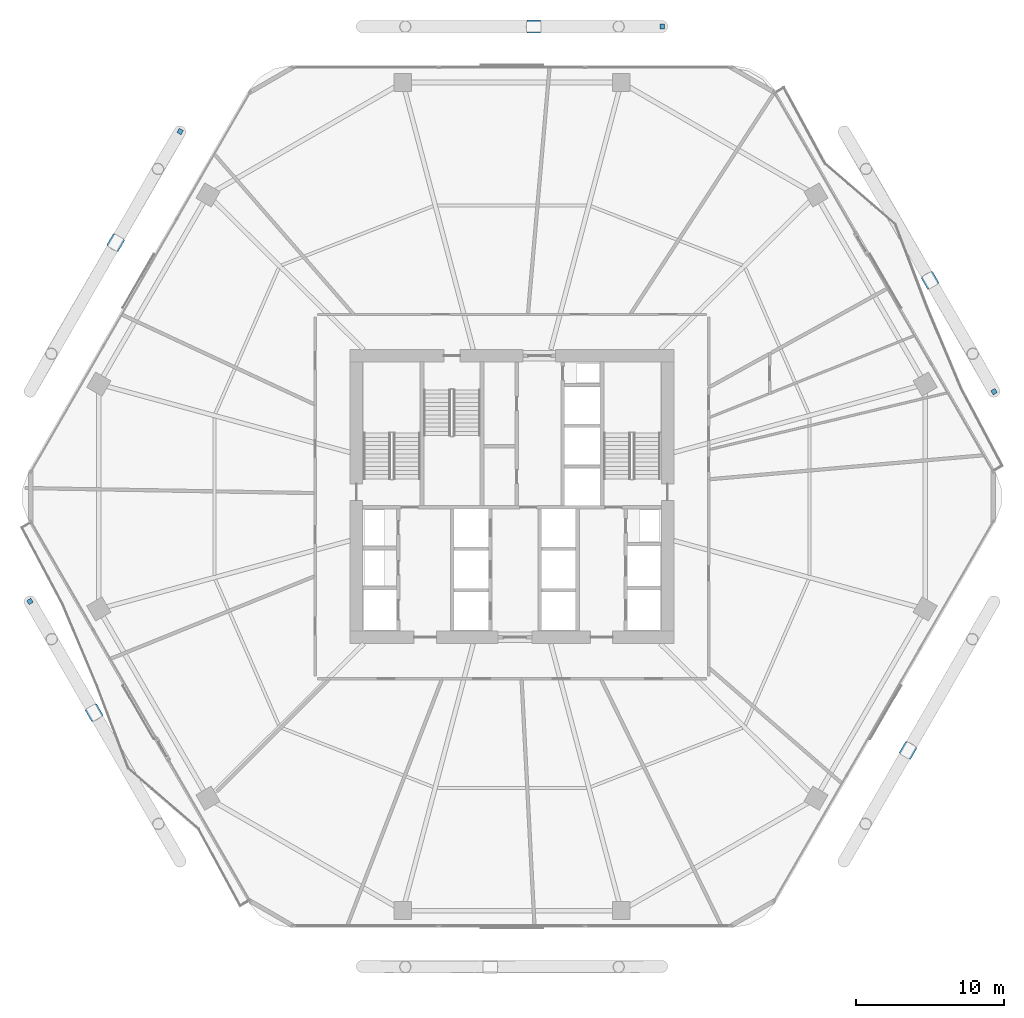
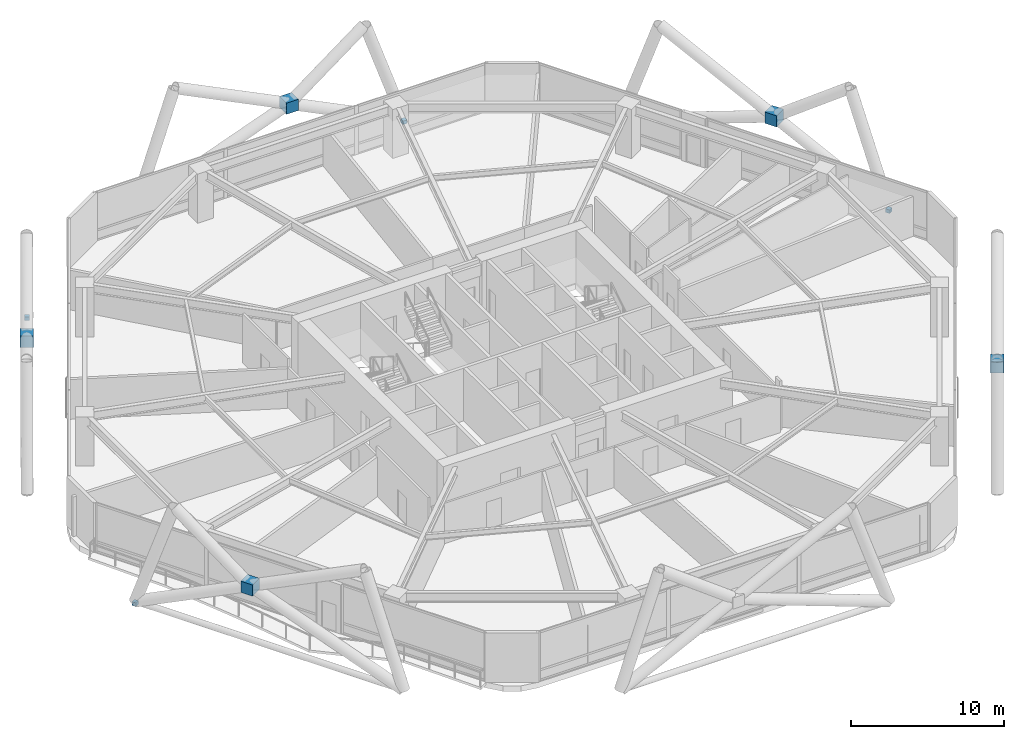
# One storey, part 28 of 31: 9 discrete accessories.
"""IFC4 building model written with IfcOpenShell, lengths in metres."""

from ifc_helpers import new_model, si_unit, direction, frame, origin, origin_2d, place, context, subcontext, project, spatial, rectangle, extrude, material, type_object, element, save


model = new_model("IFC4")

# Units and contexts
model_context = context("Model", 3, precision=1e-05, world=origin(), true_north=direction((0.0, 1.0)))
body_context = subcontext(model_context, "Body", "Model", "MODEL_VIEW")
ifc_project = project(units=[si_unit("LENGTHUNIT", "METRE"), si_unit("AREAUNIT", "SQUARE_METRE"), si_unit("VOLUMEUNIT", "CUBIC_METRE"), si_unit("PLANEANGLEUNIT", "RADIAN"), si_unit("MASSUNIT", "GRAM", prefix="KILO")], contexts=[model_context])

# Site, building, storey
site_placement = place(None, origin())
site = spatial("IfcSite", under=ifc_project, at=site_placement, CompositionType="ELEMENT")
building_placement = place(site_placement, origin())
building = spatial("IfcBuilding", under=site, at=building_placement, Name="Zuhravey Tower", CompositionType="ELEMENT")
storey_placement = place(building_placement, frame((0.0, 0.0, 7.800048828125)))
storey = spatial("IfcBuildingStorey", under=building, at=storey_placement, Name="L02", CompositionType="ELEMENT", Elevation=7.800048828125)

# Discrete accessories
ifc_material = material(Name="Steel SM355", Category="steel")
discrete_accessory_type = type_object("IfcDiscreteAccessoryType", Name="Exoskeleton Support Bracket", PredefinedType="BRACKET", material=ifc_material)
discrete_accessory_1_placement = place(storey_placement, frame((64.2177734375, 46.59228515625, 3.17431640625), z_axis=(0.0, 0.0, 1.0), x_axis=(-0.5, 0.866025403784, 0.0)))
element("IfcDiscreteAccessory", 1, at=discrete_accessory_1_placement, inside=storey, type_object=discrete_accessory_type, Name="L02 Face 1 Diagrid X-Crossing Collar BRK1", PredefinedType="BRACKET", context=body_context, shape_type="SweptSolid", body=[
    extrude(rectangle(XDim=0.89306640625, YDim=0.89306640625, at=origin_2d()), origin(), (0.0, 0.0, 1.0), 0.89306640625),
])
discrete_accessory_2_placement = place(storey_placement, frame((68.537353515625, 39.08056640625, -0.9638671875), z_axis=(0.0, 0.0, 1.0), x_axis=(-0.5, 0.866025403784, 0.0)))
element("IfcDiscreteAccessory", 2, at=discrete_accessory_2_placement, inside=storey, type_object=discrete_accessory_type, Name="L02 Exoskeleton Node Bracket BRK1-F1", PredefinedType="BRACKET", context=body_context, shape_type="SweptSolid", body=[
    extrude(rectangle(XDim=0.320068359375, YDim=0.320068359375, at=origin_2d()), origin(), (0.0, 0.0, 1.0), 0.280029296875),
])
discrete_accessory_3_placement = place(storey_placement, frame((37.471435546875, 63.718505859375, 3.17431640625), z_axis=(0.0, 0.0, 1.0), x_axis=(-1.0, 0.0, 0.0)))
element("IfcDiscreteAccessory", 3, at=discrete_accessory_3_placement, inside=storey, type_object=discrete_accessory_type, Name="L02 Face 2 Diagrid X-Crossing Collar BRK1", PredefinedType="BRACKET", context=body_context, shape_type="SweptSolid", body=[
    extrude(rectangle(XDim=0.89306640625, YDim=0.89306640625, at=origin_2d()), origin(), (0.0, 0.0, 1.0), 0.89306640625),
])
discrete_accessory_4_placement = place(storey_placement, frame((46.13671875, 63.718505859375, -0.9638671875), z_axis=(0.0, 0.0, 1.0), x_axis=(-1.0, 0.0, 0.0)))
element("IfcDiscreteAccessory", 4, at=discrete_accessory_4_placement, inside=storey, type_object=discrete_accessory_type, Name="L02 Exoskeleton Node Bracket BRK1-F2", PredefinedType="BRACKET", context=body_context, shape_type="SweptSolid", body=[
    extrude(rectangle(XDim=0.320068359375, YDim=0.320068359375, at=origin_2d()), origin(), (0.0, 0.0, 1.0), 0.280029296875),
])
discrete_accessory_5_placement = place(storey_placement, frame((9.25390625, 49.14111328125, 3.17431640625), z_axis=(0.0, 0.0, 1.0), x_axis=(-0.5, -0.866025403784, 0.0)))
element("IfcDiscreteAccessory", 5, at=discrete_accessory_5_placement, inside=storey, type_object=discrete_accessory_type, Name="L02 Face 3 Diagrid X-Crossing Collar BRK1", PredefinedType="BRACKET", context=body_context, shape_type="SweptSolid", body=[
    extrude(rectangle(XDim=0.89306640625, YDim=0.89306640625, at=origin_2d()), origin(), (0.0, 0.0, 1.0), 0.89306640625),
])
discrete_accessory_6_placement = place(storey_placement, frame((13.599365234375, 56.637939453125, -0.9638671875), z_axis=(0.0, 0.0, 1.0), x_axis=(-0.5, -0.866025403784, 0.0)))
element("IfcDiscreteAccessory", 6, at=discrete_accessory_6_placement, inside=storey, type_object=discrete_accessory_type, Name="L02 Exoskeleton Node Bracket BRK1-F3", PredefinedType="BRACKET", context=body_context, shape_type="SweptSolid", body=[
    extrude(rectangle(XDim=0.320068359375, YDim=0.320068359375, at=origin_2d()), origin(), (0.0, 0.0, 1.0), 0.280029296875),
])
discrete_accessory_7_placement = place(storey_placement, frame((7.79541015625, 17.4150390625, 3.17431640625), z_axis=(0.0, 0.0, 1.0), x_axis=(0.5, -0.866025403784, 0.0)))
element("IfcDiscreteAccessory", 7, at=discrete_accessory_7_placement, inside=storey, type_object=discrete_accessory_type, Name="L02 Face 4 Diagrid X-Crossing Collar BRK1", PredefinedType="BRACKET", context=body_context, shape_type="SweptSolid", body=[
    extrude(rectangle(XDim=0.89306640625, YDim=0.89306640625, at=origin_2d()), origin(), (0.0, 0.0, 1.0), 0.89306640625),
])
discrete_accessory_8_placement = place(storey_placement, frame((3.462646484375, 24.91943359375, -0.9638671875), z_axis=(0.0, 0.0, 1.0), x_axis=(0.5, -0.866025403784, 0.0)))
element("IfcDiscreteAccessory", 8, at=discrete_accessory_8_placement, inside=storey, type_object=discrete_accessory_type, Name="L02 Exoskeleton Node Bracket BRK1-F4", PredefinedType="BRACKET", context=body_context, shape_type="SweptSolid", body=[
    extrude(rectangle(XDim=0.320068359375, YDim=0.320068359375, at=origin_2d()), origin(), (0.0, 0.0, 1.0), 0.280029296875),
])
discrete_accessory_9_placement = place(storey_placement, frame((62.733154296875, 14.866455078125, 3.17431640625), z_axis=(0.0, 0.0, 1.0), x_axis=(0.5, 0.866025403784, 0.0)))
element("IfcDiscreteAccessory", 9, at=discrete_accessory_9_placement, inside=storey, type_object=discrete_accessory_type, Name="L02 Face 6 Diagrid X-Crossing Collar BRK1", PredefinedType="BRACKET", context=body_context, shape_type="SweptSolid", body=[
    extrude(rectangle(XDim=0.89306640625, YDim=0.89306640625, at=origin_2d()), origin(), (0.0, 0.0, 1.0), 0.89306640625),
])

save(model, "model.ifc")
